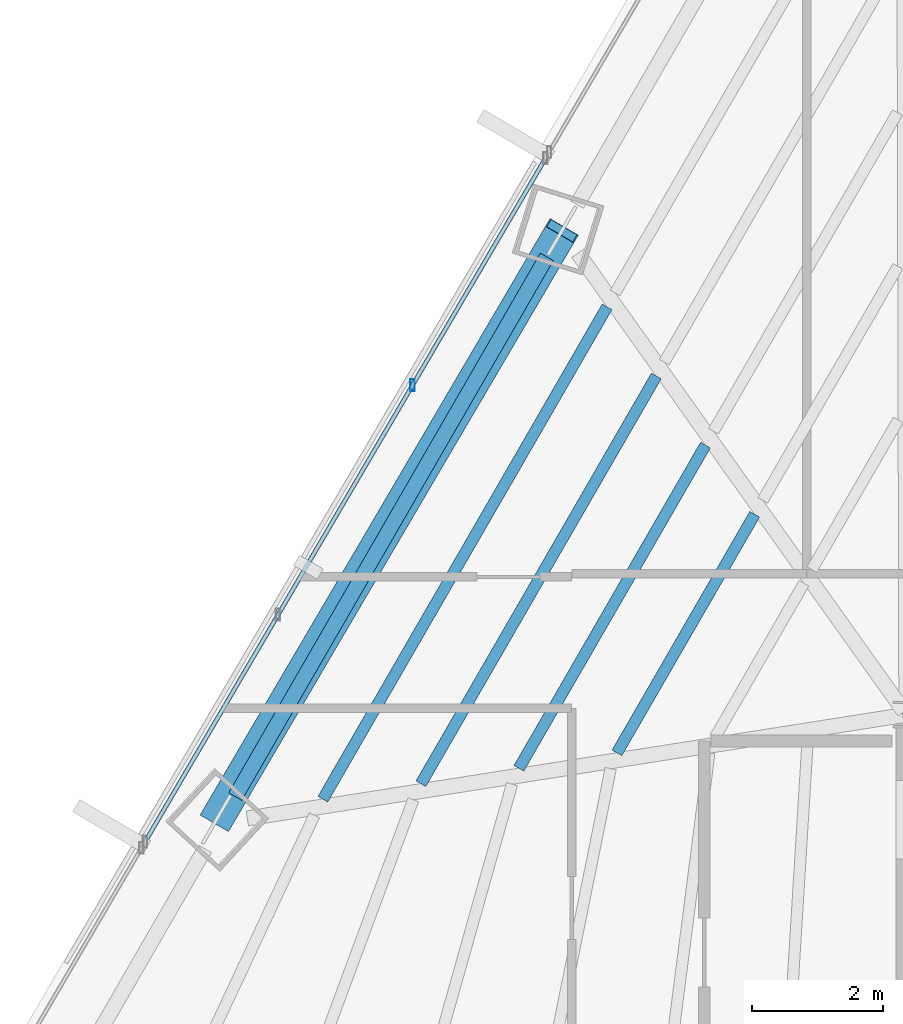
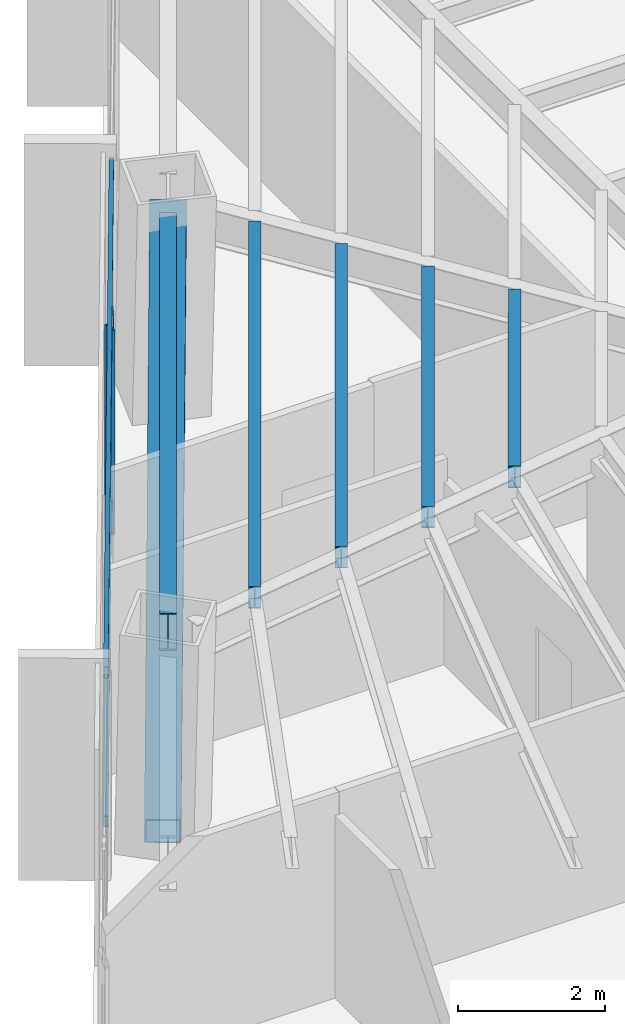
# One storey, part 14 of 35: 5 beams, 4 members, 1 element without a shape of its own.
"""IFC4 building model written with IfcOpenShell, lengths in metres."""

from ifc_helpers import new_model, si_unit, direction, frame, origin, origin_2d, place, context, subcontext, project, spatial, hollow_rectangle, i_section, extrude, source, transform, mapped, material, material_profile, profile_set, type_object, type_shapes, element, aggregate, save


model = new_model("IFC4")

# Units and contexts
model_context = context("Model", 3, precision=1e-05, world=origin(), true_north=direction((0.0, 1.0)))
body_context = subcontext(model_context, "Body", "Model", "MODEL_VIEW")
ifc_project = project(units=[si_unit("LENGTHUNIT", "METRE"), si_unit("AREAUNIT", "SQUARE_METRE"), si_unit("VOLUMEUNIT", "CUBIC_METRE"), si_unit("PLANEANGLEUNIT", "RADIAN"), si_unit("MASSUNIT", "GRAM", prefix="KILO")], contexts=[model_context])

# Site, building, storey
site_placement = place(None, origin())
site = spatial("IfcSite", under=ifc_project, at=site_placement, CompositionType="ELEMENT")
building_placement = place(site_placement, origin())
building = spatial("IfcBuilding", under=site, at=building_placement, Name="Caelisora Broadcast Tower", CompositionType="ELEMENT")
storey_placement = place(building_placement, frame((0.0, 0.0, 98.10009765625)))
storey = spatial("IfcBuildingStorey", under=building, at=storey_placement, Name="L25", CompositionType="ELEMENT", Elevation=98.10009765625)

# Beams
ifc_material_1 = material(Name="Steel Grade 350 (AS/NZS 3679.1)", Category="steel")
ifc_material_profile_1 = material_profile(ifc_material_1, i_section(OverallWidth=0.22900390625, OverallDepth=0.611572265625, WebThickness=0.011962890625, FlangeThickness=0.01953125, at=origin_2d()), Name="Steel Grade 350 (AS/NZS 3679.1)")
ifc_profile_set_1 = profile_set([ifc_material_profile_1], Name="Steel Grade 350 (AS/NZS 3679.1)")
beam_type_1 = type_object("IfcBeamType", Name="PG03", PredefinedType="BEAM", material=ifc_profile_set_1)
shared_shape_1 = source(origin(), body_context, "Body", "SweptSolid", [
    extrude(i_section(OverallWidth=0.22900390625, OverallDepth=0.611572265625, WebThickness=0.011962890625, FlangeThickness=0.01953125, at=origin_2d()), origin(), (0.0, 0.0, 1.0), 9.50048828125),
])
type_shapes(beam_type_1, [shared_shape_1])
beam_1_placement = place(storey_placement, frame((25.019287109375, 36.9794921875, 3.093994140625), z_axis=(-0.499994576128, -0.866028535236, 0.0), x_axis=(0.866028535236, -0.499994576128, 0.0)))
element("IfcBeam", 1, at=beam_1_placement, inside=storey, type_object=beam_type_1, Name="L25 beam PG03", PredefinedType="BEAM", context=body_context, shape_type="MappedRepresentation", body=[
    mapped(shared_shape_1, transform((0.0, 0.0, 0.0), scale=1.0)),
])
ifc_material_profile_2 = material_profile(ifc_material_1, i_section(OverallWidth=0.172119140625, OverallDepth=0.358642578125, WebThickness=0.008056640625, FlangeThickness=0.012939453125, at=origin_2d()), Name="Steel Grade 350 (AS/NZS 3679.1)")
ifc_profile_set_2 = profile_set([ifc_material_profile_2], Name="Steel Grade 350 (AS/NZS 3679.1)")
beam_type_2 = type_object("IfcBeamType", Name="SB02", PredefinedType="JOIST", material=ifc_profile_set_2)
shared_shape_2 = source(origin(), body_context, "Body", "SweptSolid", [
    extrude(i_section(OverallWidth=0.172119140625, OverallDepth=0.358642578125, WebThickness=0.008056640625, FlangeThickness=0.012939453125, at=origin_2d()), origin(), (0.0, 0.0, 1.0), 4.199951171875),
])
beam_2_placement = place(storey_placement, frame((28.188720703125, 33.055908203125, 3.220703125), z_axis=(-0.500027713859, -0.866009402589, 0.0), x_axis=(0.866009402589, -0.500027713859, 0.0)))
element("IfcBeam", 2, at=beam_2_placement, inside=storey, type_object=beam_type_2, Name="L25 beam SB02", PredefinedType="JOIST", context=body_context, shape_type="MappedRepresentation", body=[
    mapped(shared_shape_2, transform((0.0, 0.0, 0.0), scale=1.0)),
])
shared_shape_3 = source(origin(), body_context, "Body", "SweptSolid", [
    extrude(i_section(OverallWidth=0.172119140625, OverallDepth=0.358642578125, WebThickness=0.008056640625, FlangeThickness=0.012939453125, at=origin_2d()), origin(), (0.0, 0.0, 1.0), 5.68896484375),
])
beam_3_placement = place(storey_placement, frame((27.4384765625, 34.110107421875, 3.220703125), z_axis=(-0.500002303494, -0.866024073857, 0.0), x_axis=(0.866024073857, -0.500002303494, 0.0)))
element("IfcBeam", 3, at=beam_3_placement, inside=storey, type_object=beam_type_2, Name="L25 beam SB02", PredefinedType="JOIST", context=body_context, shape_type="MappedRepresentation", body=[
    mapped(shared_shape_3, transform((0.0, 0.0, 0.0), scale=1.0)),
])
shared_shape_4 = source(origin(), body_context, "Body", "SweptSolid", [
    extrude(i_section(OverallWidth=0.172119140625, OverallDepth=0.358642578125, WebThickness=0.008056640625, FlangeThickness=0.012939453125, at=origin_2d()), origin(), (0.0, 0.0, 1.0), 7.177490234375),
])
beam_4_placement = place(storey_placement, frame((26.6884765625, 35.1640625, 3.220703125), z_axis=(-0.500016891966, -0.866015650984, 0.0), x_axis=(0.866015650984, -0.500016891966, 0.0)))
element("IfcBeam", 4, at=beam_4_placement, inside=storey, type_object=beam_type_2, Name="L25 beam SB02", PredefinedType="JOIST", context=body_context, shape_type="MappedRepresentation", body=[
    mapped(shared_shape_4, transform((0.0, 0.0, 0.0), scale=1.0)),
])
shared_shape_5 = source(origin(), body_context, "Body", "SweptSolid", [
    extrude(i_section(OverallWidth=0.172119140625, OverallDepth=0.358642578125, WebThickness=0.008056640625, FlangeThickness=0.012939453125, at=origin_2d()), origin(), (0.0, 0.0, 1.0), 8.666015625),
])
type_shapes(beam_type_2, [shared_shape_2, shared_shape_3, shared_shape_4, shared_shape_5])
beam_5_placement = place(storey_placement, frame((25.938232421875, 36.218017578125, 3.220703125), z_axis=(-0.499993141028, -0.866029363778, 0.0), x_axis=(0.866029363778, -0.499993141028, 0.0)))
element("IfcBeam", 5, at=beam_5_placement, inside=storey, type_object=beam_type_2, Name="L25 beam SB02", PredefinedType="JOIST", context=body_context, shape_type="MappedRepresentation", body=[
    mapped(shared_shape_5, transform((0.0, 0.0, 0.0), scale=1.0)),
])

# Member
ifc_material_2 = material(Name="Steel Grade 450 L15 (AS/NZS 3678)", Category="steel")
ifc_material_profile_3 = material_profile(ifc_material_2, hollow_rectangle(XDim=0.5, YDim=0.5, WallThickness=0.02001953125, at=origin_2d()), Name="Steel Grade 450 L15 (AS/NZS 3678)")
ifc_profile_set_3 = profile_set([ifc_material_profile_3], Name="Steel Grade 450 L15 (AS/NZS 3678)")
member_type_1 = type_object("IfcMemberType", Name="BR02", PredefinedType="BRACE", material=ifc_profile_set_3)
shared_shape_6 = source(origin(), body_context, "Body", "SweptSolid", [
    extrude(hollow_rectangle(XDim=0.5, YDim=0.5, WallThickness=0.02001953125, at=origin_2d()), origin(), (0.0, 0.0, 1.0), 10.828369140625),
])
type_shapes(member_type_1, [shared_shape_6])
member_1_placement = place(storey_placement, frame((25.24951171875, 37.3779296875, 3.099853515625), z_axis=(-0.486212126201, -0.828758884066, -0.2770495992), x_axis=(0.8625217651, -0.506019964753, 0.0)))
element("IfcMember", 6, at=member_1_placement, inside=storey, type_object=member_type_1, Name="L25 perimeter brace BR02", PredefinedType="BRACE", context=body_context, shape_type="MappedRepresentation", body=[
    mapped(shared_shape_6, transform((0.0, 0.0, 0.0), scale=1.0)),
])

# Curtain wall, members
ifc_material_3 = material(Name="Unitised Aluminium Insulated Shadow-Box Spandrel Curtain Wall", Category="aluminium")
curtain_wall_type = type_object("IfcCurtainWallType", Name="CW-SP1", PredefinedType="NOTDEFINED", material=ifc_material_3)
curtain_wall_placement = place(storey_placement, origin())
curtain_wall = element("IfcCurtainWall", 7, at=curtain_wall_placement, inside=storey, type_object=curtain_wall_type, Name="L25 curtain wall CW-SP1", PredefinedType="NOTDEFINED")
ifc_material_4 = material(Name="Aluminium 6063-T6 Anodised Terracotta Bronze", Category="aluminium")
ifc_material_profile_4 = material_profile(ifc_material_4, hollow_rectangle(XDim=0.06494140625, YDim=0.179931640625, WallThickness=0.00341796875, at=origin_2d()), Name="Aluminium 6063-T6 Anodised Terracotta Bronze")
ifc_profile_set_4 = profile_set([ifc_material_profile_4], Name="Aluminium 6063-T6 Anodised Terracotta Bronze")
member_type_2 = type_object("IfcMemberType", Name="CWM-02", PredefinedType="MULLION", material=ifc_profile_set_4)
shared_shape_7 = source(origin(), body_context, "Body", "SweptSolid", [
    extrude(hollow_rectangle(XDim=0.06494140625, YDim=0.179931640625, WallThickness=0.00341796875, at=origin_2d()), origin(), (0.0, 0.0, 1.0), 3.39990234375),
])
type_shapes(member_type_2, [shared_shape_7])
member_2_placement = place(storey_placement, frame((22.973388671875, 35.024658203125, 0.0), z_axis=(0.0, 0.0, 1.0), x_axis=(1.0, 0.0, 0.0)))
member_2 = element("IfcMember", 8, at=member_2_placement, type_object=member_type_2, Name="L25-CW-B10 mullion #2", PredefinedType="MULLION", context=body_context, shape_type="MappedRepresentation", body=[
    mapped(shared_shape_7, transform((0.0, 0.0, 0.0), scale=1.0)),
])
ifc_material_profile_5 = material_profile(ifc_material_4, hollow_rectangle(XDim=0.06494140625, YDim=0.179931640625, WallThickness=0.00341796875, at=origin_2d()), Name="Aluminium 6063-T6 Anodised Terracotta Bronze")
ifc_profile_set_5 = profile_set([ifc_material_profile_5], Name="Aluminium 6063-T6 Anodised Terracotta Bronze")
member_type_3 = type_object("IfcMemberType", Name="CWT-01", PredefinedType="USERDEFINED", material=ifc_profile_set_5)
shared_shape_8 = source(origin(), body_context, "Body", "SweptSolid", [
    extrude(hollow_rectangle(XDim=0.06494140625, YDim=0.179931640625, WallThickness=0.00341796875, at=origin_2d()), origin(), (0.0, 0.0, 1.0), 12.07763671875),
])
type_shapes(member_type_3, [shared_shape_8])
member_3_placement = place(storey_placement, frame((18.89501953125, 28.062744140625, 0.849853515625), z_axis=(0.505460089039, 0.862849986028, 0.0), x_axis=(-0.862849986028, 0.505460089039, 0.0)))
member_3 = element("IfcMember", 9, at=member_3_placement, type_object=member_type_3, Name="L25-CW-B10 transom #1", ObjectType="TRANSOM", PredefinedType="USERDEFINED", context=body_context, shape_type="MappedRepresentation", body=[
    mapped(shared_shape_8, transform((0.0, 0.0, 0.0), scale=1.0)),
])
member_4_placement = place(storey_placement, frame((18.89501953125, 28.062744140625, 3.31982421875), z_axis=(0.505460089039, 0.862849986028, 0.0), x_axis=(-0.862849986028, 0.505460089039, 0.0)))
member_4 = element("IfcMember", 10, at=member_4_placement, type_object=member_type_3, Name="L25-CW-B10 transom #2", ObjectType="TRANSOM", PredefinedType="USERDEFINED", context=body_context, shape_type="MappedRepresentation", body=[
    mapped(shared_shape_8, transform((0.0, 0.0, 0.0), scale=1.0)),
])
aggregate(curtain_wall, [member_2, member_3, member_4])

save(model, "model.ifc")
